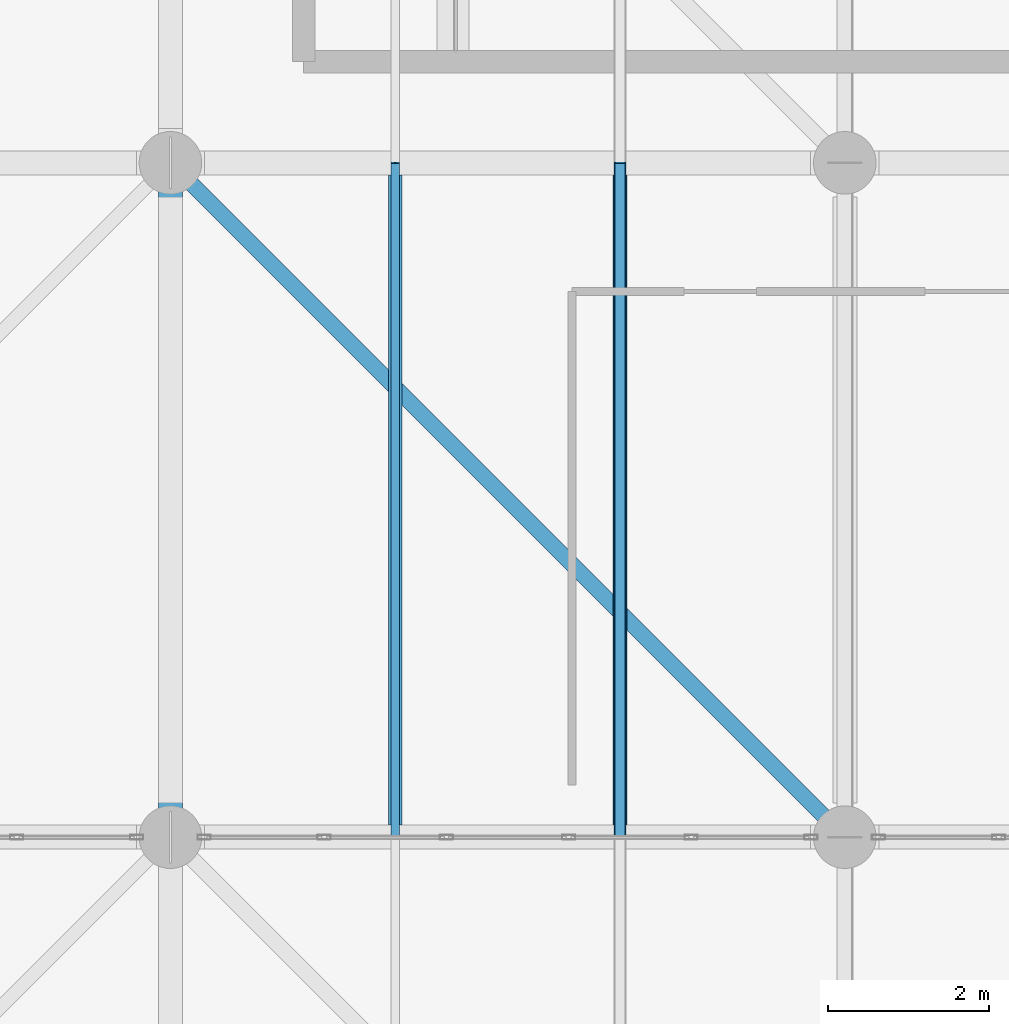
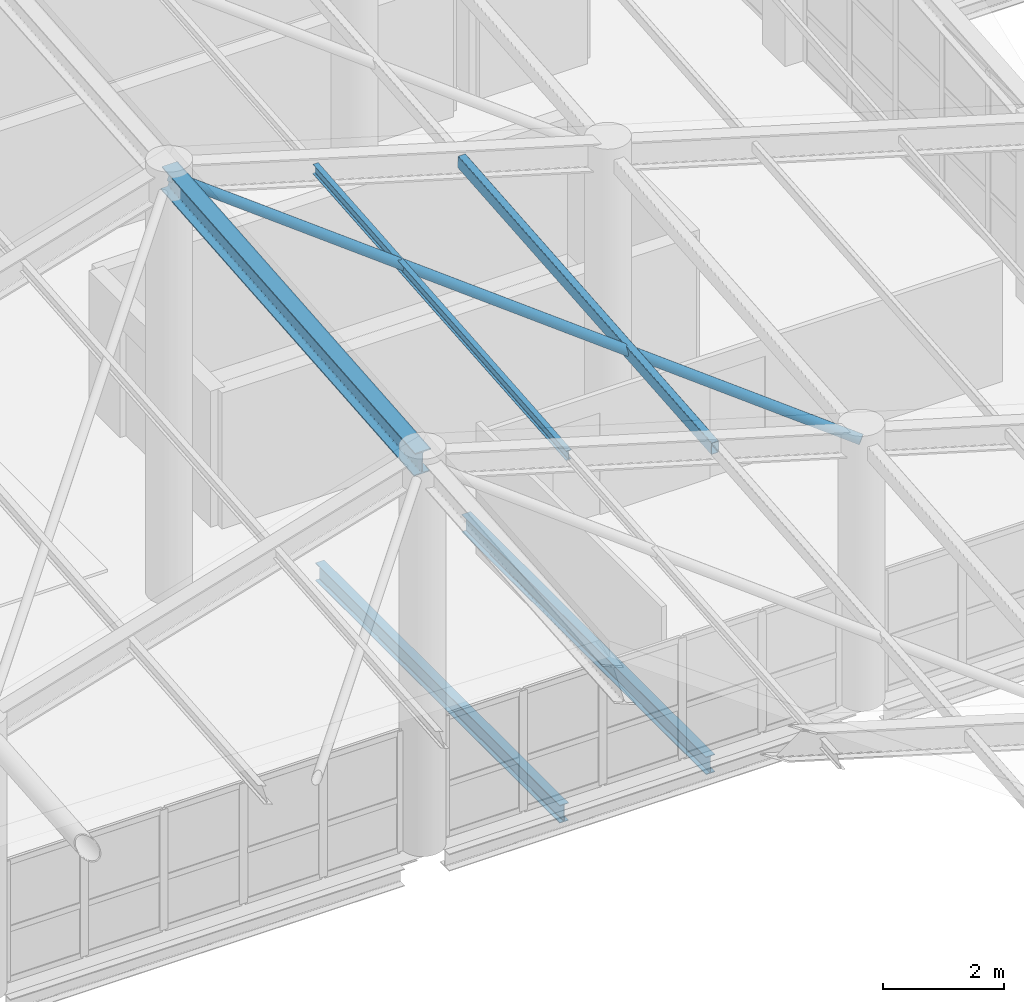
# One storey, part 30 of 95: 4 members, 2 beams.
"""IFC4 building model written with IfcOpenShell, lengths in metres."""

import ifcopenshell
import ifcopenshell.guid

model = None  # the IFC model being written
_history = None  # IfcOwnerHistory: only IFC2X3 demands one
_inside = {}  # id of a spatial element -> (the spatial element, [elements in it])
_under = {}  # id of a project, library or spatial element -> (it, [spatial elements below it])
_declared = {}  # id of a project -> (the project, [libraries it declares])
_typed = {}  # id of a type object -> (the type object, [elements of that type])
_made_of = {}  # id of a material, layer set ... -> (it, [elements and type objects made of it])


def new_model(schema):
    """Start an empty IFC model of exactly this schema.

    Asked for "IFC4X3", IfcOpenShell would pick the latest addendum, in which some entities
    have other attributes; the version numbers below select the first issue.
    IFC2X3 requires an IfcOwnerHistory on every rooted entity: one is made here for all.
    """
    global model, _history
    if schema == "IFC4X3":
        model = ifcopenshell.file(schema_version=(4, 3, 0, 0))
    else:
        model = ifcopenshell.file(schema=schema)
    _inside.clear()
    _under.clear()
    _declared.clear()
    _typed.clear()
    _made_of.clear()
    _history = None
    if model.schema == "IFC2X3":
        org = make("IfcOrganization", Name="unknown")
        user = make(
            "IfcPersonAndOrganization",
            ThePerson=make("IfcPerson", FamilyName="unknown"),
            TheOrganization=org,
        )
        app = make(
            "IfcApplication",
            ApplicationDeveloper=org,
            Version="unknown",
            ApplicationFullName="unknown",
            ApplicationIdentifier="unknown",
        )
        _history = make(
            "IfcOwnerHistory",
            OwningUser=user,
            OwningApplication=app,
            ChangeAction="ADDED",
            CreationDate=0,
        )
    return model


def make(cls, **values):
    """One entity of the class cls with the attributes given. An attribute that is None is left unset."""
    return model.create_entity(
        cls, **{name: value for name, value in values.items() if value is not None}
    )


def rooted(cls, **values):
    """An entity with a GlobalId (a new one), such as an element, a storey or a relation."""
    return make(cls, GlobalId=ifcopenshell.guid.new(), OwnerHistory=_history, **values)


def si_unit(unit_type, name, prefix=None):
    """IfcSIUnit, for example si_unit("LENGTHUNIT", "METRE", prefix="MILLI")."""
    return make("IfcSIUnit", UnitType=unit_type, Prefix=prefix, Name=name)


def assignment(units):
    """IfcUnitAssignment: the units of a project."""
    return None if units is None else make("IfcUnitAssignment", Units=units)


def point(xyz):
    """IfcCartesianPoint."""
    return None if xyz is None else make("IfcCartesianPoint", Coordinates=xyz)


def direction(xyz):
    """IfcDirection."""
    return None if xyz is None else make("IfcDirection", DirectionRatios=xyz)


def frame(location, z_axis=None, x_axis=None):
    """IfcAxis2Placement3D, a coordinate frame: its origin and axes. An axis left out is left unset."""
    return make(
        "IfcAxis2Placement3D",
        Location=point(location),
        Axis=direction(z_axis),
        RefDirection=direction(x_axis),
    )


def frame_2d(location, x_axis=None):
    """IfcAxis2Placement2D, a coordinate frame in the plane: its origin and x axis."""
    return make(
        "IfcAxis2Placement2D", Location=point(location), RefDirection=direction(x_axis)
    )


def origin():
    """The frame at (0, 0, 0) with its axes left unset."""
    return frame((0.0, 0.0, 0.0))


def origin_2d():
    """The frame at (0, 0) in the plane with its x axis left unset."""
    return frame_2d((0.0, 0.0))


def place(relative_to, where):
    """IfcLocalPlacement: puts the frame where relative to a parent placement (None: the world)."""
    return make(
        "IfcLocalPlacement", PlacementRelTo=relative_to, RelativePlacement=where
    )


def context(
    kind, dimensions, precision=None, world=None, true_north=None, identifier=None
):
    """IfcGeometricRepresentationContext, for example the 3D "Model" context."""
    return make(
        "IfcGeometricRepresentationContext",
        ContextIdentifier=identifier,
        ContextType=kind,
        CoordinateSpaceDimension=dimensions,
        Precision=precision,
        WorldCoordinateSystem=world,
        TrueNorth=true_north,
    )


def subcontext(parent, identifier, kind, view, scale=None):
    """IfcGeometricRepresentationSubContext, for example "Body" below "Model"."""
    return make(
        "IfcGeometricRepresentationSubContext",
        ContextIdentifier=identifier,
        ContextType=kind,
        ParentContext=parent,
        TargetScale=scale,
        TargetView=view,
    )


def project(units=None, contexts=None):
    """IfcProject with its units and contexts."""
    return rooted(
        "IfcProject",
        Name="project",
        RepresentationContexts=contexts,
        UnitsInContext=assignment(units),
    )


def spatial(cls, under=None, at=None, **own):
    """A site, building, storey or space (cls), placed at a placement, below another one or the project."""
    s = rooted(cls, ObjectPlacement=at, **own)
    if under is not None:
        _under.setdefault(under.id(), (under, []))[1].append(s)
    return s


def profile(cls, at=None, kind="AREA", **sizes):
    """A parametric profile (cls). Its sizes go by their IFC names, for example OverallWidth=200.0."""
    return make(cls, ProfileType=kind, Position=at, **sizes)


def hollow_rectangle(**sizes):
    """IfcRectangleHollowProfileDef."""
    return profile("IfcRectangleHollowProfileDef", **sizes)


def hollow_circle(**sizes):
    """IfcCircleHollowProfileDef."""
    return profile("IfcCircleHollowProfileDef", **sizes)


def i_section(**sizes):
    """IfcIShapeProfileDef."""
    return profile("IfcIShapeProfileDef", **sizes)


def extrude(swept, where, along, depth):
    """IfcExtrudedAreaSolid: the profile swept, set in the frame where, extruded along a direction by depth."""
    return make(
        "IfcExtrudedAreaSolid",
        SweptArea=swept,
        Position=where,
        ExtrudedDirection=direction(along),
        Depth=depth,
    )


def shape(context_of_items, identifier, shape_type, items):
    """IfcShapeRepresentation: the items that make up one representation, for example the "Body"."""
    return make(
        "IfcShapeRepresentation",
        ContextOfItems=context_of_items,
        RepresentationIdentifier=identifier,
        RepresentationType=shape_type,
        Items=items,
    )


def material(Name=None, Category=None):
    """IfcMaterial."""
    return make("IfcMaterial", Name=Name, Category=Category)


def material_profile(
    of_material, cross_section, Name=None, Category=None, Priority=None
):
    """IfcMaterialProfile: a cross section and its material."""
    return make(
        "IfcMaterialProfile",
        Name=Name,
        Material=of_material,
        Profile=cross_section,
        Priority=Priority,
        Category=Category,
    )


def profile_set(profiles, Name=None, composite=None):
    """IfcMaterialProfileSet."""
    return make(
        "IfcMaterialProfileSet",
        Name=Name,
        MaterialProfiles=profiles,
        CompositeProfile=composite,
    )


def made_of(thing, what):
    """Note that an element or type object is made of a material, layer set ...; save() writes the relation."""
    if what is not None:
        _made_of.setdefault(what.id(), (what, []))[1].append(thing)
    return thing


def type_object(cls, material=None, **own):
    """A type object (cls), such as IfcWallType, which elements share."""
    return made_of(rooted(cls, **own), material)


def element(
    cls,
    number,
    at=None,
    inside=None,
    cuts=None,
    type_object=None,
    material=None,
    context=None,
    identifier="Body",
    shape_type=None,
    held_by="IfcProductDefinitionShape",
    body=None,
    shapes=None,
    **own,
):
    """One element of the class cls, such as IfcWall. Its Tag is "e" and its number.

    at: its placement. inside: the storey or other place that contains it. cuts: it is an
    opening in that element (IfcRelVoidsElement). A single representation is given by context,
    identifier, shape_type and body (its items); several are given by shapes. held_by: the class
    of the entity that holds the representations. save() writes the other relations.
    """
    e = rooted(cls, Tag="e%d" % number, ObjectPlacement=at, **own)
    if body is not None:
        shapes = [shape(context, identifier, shape_type, body)]
    if shapes is not None:
        e.Representation = make(held_by, Representations=shapes)
    if inside is not None:
        _inside.setdefault(inside.id(), (inside, []))[1].append(e)
    if cuts is not None:
        rooted(
            "IfcRelVoidsElement", RelatingBuildingElement=cuts, RelatedOpeningElement=e
        )
    if type_object is not None:
        _typed.setdefault(type_object.id(), (type_object, []))[1].append(e)
    return made_of(e, material)


def aggregate(whole, parts):
    """IfcRelAggregates: a whole, such as a stair, and the parts it consists of."""
    return rooted("IfcRelAggregates", RelatingObject=whole, RelatedObjects=parts)


def save(model, path):
    """Write the relations noted so far, then the file.

    IfcRelAggregates (storeys below a building ...), IfcRelContainedInSpatialStructure (elements
    in a storey), IfcRelDefinesByType, IfcRelAssociatesMaterial and IfcRelDeclares: one each for
    every whole, place, type object, material and project.
    """
    for whole, parts in _under.values():
        aggregate(whole, parts)
    for where, things in _inside.values():
        rooted(
            "IfcRelContainedInSpatialStructure",
            RelatedElements=things,
            RelatingStructure=where,
        )
    for kind, things in _typed.values():
        rooted("IfcRelDefinesByType", RelatedObjects=things, RelatingType=kind)
    for what, things in _made_of.values():
        rooted("IfcRelAssociatesMaterial", RelatedObjects=things, RelatingMaterial=what)
    for by, libraries in _declared.values():
        rooted("IfcRelDeclares", RelatingContext=by, RelatedDefinitions=libraries)
    model.write(path)


model = new_model("IFC4")

# Units and contexts
model_context = context("Model", 3, precision=1e-05, world=origin(), true_north=direction((0.0, 1.0)))
body_context = subcontext(model_context, "Body", "Model", "MODEL_VIEW")
ifc_project = project(units=[si_unit("LENGTHUNIT", "METRE"), si_unit("AREAUNIT", "SQUARE_METRE"), si_unit("VOLUMEUNIT", "CUBIC_METRE"), si_unit("PLANEANGLEUNIT", "RADIAN"), si_unit("MASSUNIT", "GRAM", prefix="KILO"), si_unit("THERMODYNAMICTEMPERATUREUNIT", "KELVIN"), si_unit("POWERUNIT", "WATT")], contexts=[model_context])

# Site, building, storey
site_placement = place(None, origin())
site = spatial("IfcSite", under=ifc_project, at=site_placement, CompositionType="ELEMENT")
building_placement = place(site_placement, origin())
building = spatial("IfcBuilding", under=site, at=building_placement, Name="Mavoryth Pier Ferry Terminal", CompositionType="ELEMENT")
storey_placement = place(building_placement, frame((0.0, 0.0, 9.60009765625)))
storey = spatial("IfcBuildingStorey", under=building, at=storey_placement, Name="L02", CompositionType="ELEMENT", Elevation=9.60009765625)

# Members
ifc_material = material(Name="Steel S355J2", Category="steel")
ifc_material_profile_1 = material_profile(ifc_material, hollow_circle(Radius=0.096923828125, WallThickness=0.010009765625, at=origin_2d()), Name="CHS 193.7x10.0", Category="steel")
ifc_profile_set_1 = profile_set([ifc_material_profile_1], Name="Steel S355J2 - CHS 193.7x10.0")
member_type_1 = type_object("IfcMemberType", Name="Brace-Plan-CHS194", PredefinedType="BRACE", material=ifc_profile_set_1)
member_1_placement = place(storey_placement, frame((25.199951171875, 72.39990234375, 5.2275390625), z_axis=(-0.682868951799, 0.682888799179, 0.259524339177), x_axis=(-0.707117056885, -0.707096505339, 0.0)))
element("IfcMember", 1, at=member_1_placement, inside=storey, type_object=member_type_1, Name="Steel Member MB-L02-0129", PredefinedType="BRACE", context=body_context, shape_type="SweptSolid", body=[
    extrude(hollow_circle(Radius=0.096923828125, WallThickness=0.010009765625, at=origin_2d()), origin(), (0.0, 0.0, 1.0), 12.30078125),
])
ifc_material_profile_2 = material_profile(ifc_material, i_section(OverallWidth=0.300048828125, OverallDepth=0.489990234375, WebThickness=0.011962890625, FlangeThickness=0.02294921875, FilletRadius=0.027099609375, at=origin_2d()), Name="HEA 500", Category="steel")
ifc_profile_set_2 = profile_set([ifc_material_profile_2], Name="Steel S355J2 - HEA 500")
member_type_2 = type_object("IfcMemberType", Name="Chord-Ridge-HEA500", PredefinedType="CHORD", material=ifc_profile_set_2)
member_2_placement = place(storey_placement, frame((16.800048828125, 72.39990234375, 7.70556640625), z_axis=(0.0, 0.996403523637, 0.084734987362), x_axis=(-1.0, 0.0, 0.0)))
element("IfcMember", 2, at=member_2_placement, inside=storey, type_object=member_type_2, Name="Steel Member MB-L02-0116", PredefinedType="CHORD", context=body_context, shape_type="SweptSolid", body=[
    extrude(i_section(OverallWidth=0.300048828125, OverallDepth=0.489990234375, WebThickness=0.011962890625, FlangeThickness=0.02294921875, FilletRadius=0.027099609375, at=origin_2d()), origin(), (0.0, 0.0, 1.0), 8.430419921875),
])

# Beams
ifc_material_profile_3 = material_profile(ifc_material, i_section(OverallWidth=0.169921875, OverallDepth=0.360107421875, WebThickness=0.008056640625, FlangeThickness=0.0126953125, FilletRadius=0.01806640625, at=origin_2d()), Name="IPE 360", Category="steel")
ifc_profile_set_3 = profile_set([ifc_material_profile_3], Name="Steel S355J2 - IPE 360")
beam_type = type_object("IfcBeamType", Name="Joist-Steel-IPE360", PredefinedType="JOIST", material=ifc_profile_set_3)
for number, where, z_axis, x_axis, name in (
    (3, (19.60009765625, 72.550048828125, -0.460205078125), (0.0, 1.0, 0.0), (-1.0, 0.0, 0.0), "Beam B02-SJ02-0671"),
    (4, (22.39990234375, 72.550048828125, -0.460205078125), (0.0, 1.0, 0.0), (-1.0, 0.0, 0.0), "Beam B02-SJ02-0672"),
):
    element("IfcBeam", number, at=place(storey_placement, frame(where, z_axis=z_axis, x_axis=x_axis)), inside=storey, type_object=beam_type, Name=name, PredefinedType="JOIST", context=body_context, shape_type="SweptSolid", body=[
        extrude(i_section(OverallWidth=0.169921875, OverallDepth=0.360107421875, WebThickness=0.008056640625, FlangeThickness=0.0126953125, FilletRadius=0.01806640625, at=origin_2d()), origin(), (0.0, 0.0, 1.0), 8.099853515625),
    ])

# Members
ifc_material_profile_4 = material_profile(ifc_material, i_section(OverallWidth=0.10009765625, OverallDepth=0.199951171875, WebThickness=0.005615234375, FlangeThickness=0.008544921875, FilletRadius=0.011962890625, at=origin_2d()), Name="IPE 200", Category="steel")
ifc_profile_set_4 = profile_set([ifc_material_profile_4], Name="Steel S355J2 - IPE 200")
member_type_3 = type_object("IfcMemberType", Name="Purlin-Roof-IPE200", PredefinedType="PURLIN", material=ifc_profile_set_4)
member_3_placement = place(storey_placement, frame((19.60009765625, 72.39990234375, 6.873046875), z_axis=(0.0, 0.996403523637, 0.084734987362), x_axis=(-1.0, 0.0, 0.0)))
element("IfcMember", 5, at=member_3_placement, inside=storey, type_object=member_type_3, Name="Steel Member MB-L02-0124", PredefinedType="PURLIN", context=body_context, shape_type="SweptSolid", body=[
    extrude(i_section(OverallWidth=0.10009765625, OverallDepth=0.199951171875, WebThickness=0.005615234375, FlangeThickness=0.008544921875, FilletRadius=0.011962890625, at=origin_2d()), origin(), (0.0, 0.0, 1.0), 8.430419921875),
])
ifc_material_profile_5 = material_profile(ifc_material, hollow_rectangle(XDim=0.14990234375, YDim=0.25, WallThickness=0.010009765625, InnerFilletRadius=0.010009765625, OuterFilletRadius=0.02001953125, at=origin_2d()), Name="RHS 250x150x10.0", Category="steel")
ifc_profile_set_5 = profile_set([ifc_material_profile_5], Name="Steel S355J2 - RHS 250x150x10.0")
member_type_4 = type_object("IfcMemberType", Name="Purlin-Tube-RHS250", PredefinedType="PURLIN", material=ifc_profile_set_5)
member_4_placement = place(storey_placement, frame((22.39990234375, 72.39990234375, 6.040283203125), z_axis=(0.0, 0.996403523637, 0.084734987362), x_axis=(-1.0, 0.0, 0.0)))
element("IfcMember", 6, at=member_4_placement, inside=storey, type_object=member_type_4, Name="Steel Member MB-L02-0125", PredefinedType="PURLIN", context=body_context, shape_type="SweptSolid", body=[
    extrude(hollow_rectangle(XDim=0.14990234375, YDim=0.25, WallThickness=0.010009765625, InnerFilletRadius=0.010009765625, OuterFilletRadius=0.02001953125, at=origin_2d()), origin(), (0.0, 0.0, 1.0), 8.430419921875),
])

save(model, "model.ifc")
